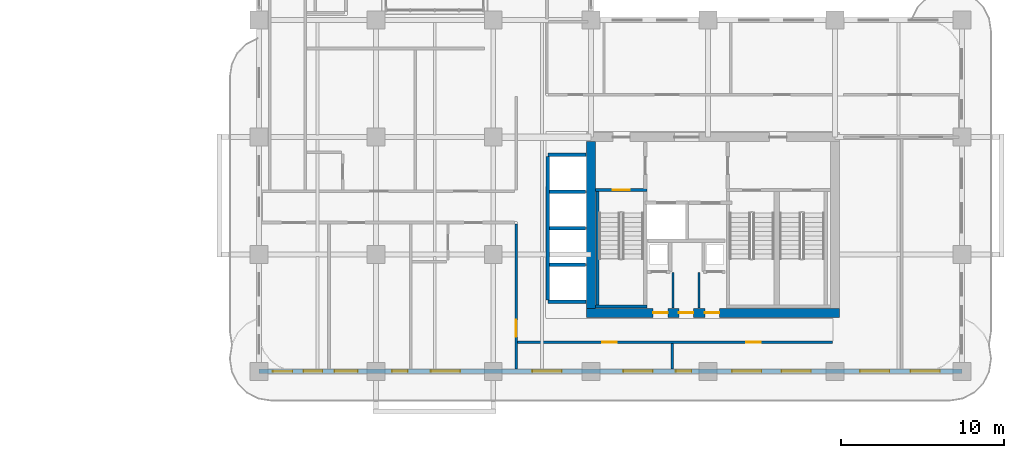
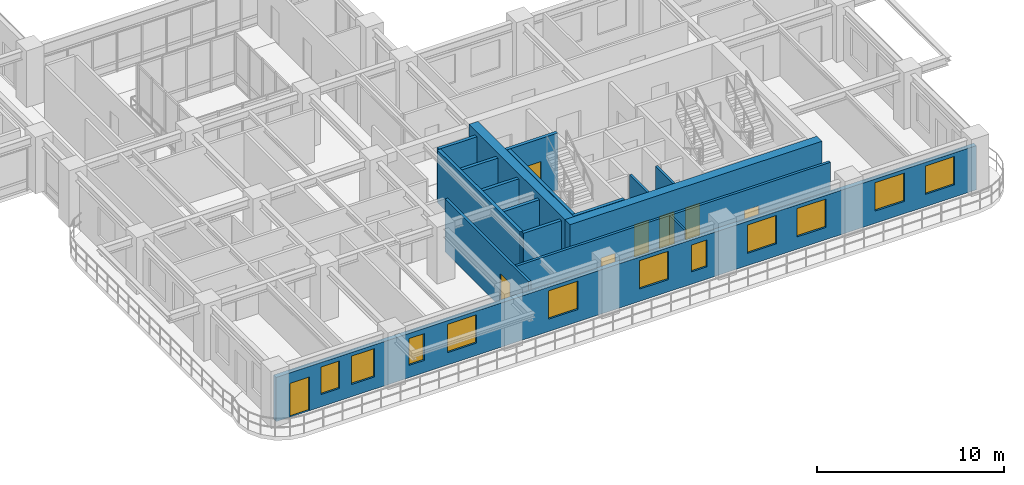
# One storey, part 13 of 22: 17 walls, 11 windows, 8 doors, 19 openings.
"""IFC4 building model written with IfcOpenShell, lengths in metres."""

from ifc_helpers import new_model, si_unit, derived_unit, direction, frame, frame_2d, origin, place, context, subcontext, project, spatial, rectangle, extrude, source, transform, mapped, material, layer, layer_set, type_object, type_shapes, element, fill, save


model = new_model("IFC4")

# Units and contexts
model_context = context("Model", 3, precision=1e-05, world=origin(), true_north=direction((0.0, 1.0)))
body_context = subcontext(model_context, "Body", "Model", "MODEL_VIEW")
ifc_project = project(units=[si_unit("LENGTHUNIT", "METRE"), si_unit("AREAUNIT", "SQUARE_METRE"), si_unit("VOLUMEUNIT", "CUBIC_METRE"), si_unit("PLANEANGLEUNIT", "RADIAN"), si_unit("MASSUNIT", "GRAM", prefix="KILO"), si_unit("THERMODYNAMICTEMPERATUREUNIT", "KELVIN"), si_unit("POWERUNIT", "WATT"), derived_unit("THERMALTRANSMITTANCEUNIT", [(si_unit("POWERUNIT", "WATT"), 1), (si_unit("AREAUNIT", "SQUARE_METRE"), -1), (si_unit("THERMODYNAMICTEMPERATUREUNIT", "KELVIN"), -1)])], contexts=[model_context])

# Site, building, storey
site_placement = place(None, origin())
site = spatial("IfcSite", under=ifc_project, at=site_placement, CompositionType="ELEMENT")
building_placement = place(site_placement, origin())
building = spatial("IfcBuilding", under=site, at=building_placement, Name="Zahravan Archway Hotel and Residences", CompositionType="ELEMENT")
storey_placement = place(building_placement, frame((0.0, 0.0, 95.300048828125)))
storey = spatial("IfcBuildingStorey", under=building, at=storey_placement, Name="L23", CompositionType="ELEMENT", Elevation=95.300048828125)

# Wall, openings, doors
ifc_material_1 = material(Name="Concrete C70/85", Category="concrete")
ifc_layer_1 = layer(ifc_material_1, 0.550048828125, Name="Concrete C70/85", Category="concrete")
ifc_layer_set_1 = layer_set([ifc_layer_1], Name="Concrete C70/85")
wall_type_1 = type_object("IfcWallType", Name="CW-CORE-550", PredefinedType="SHEAR", material=ifc_layer_set_1)
wall_1_placement = place(storey_placement, frame((34.52490234375, 3.60009765625, 0.0), z_axis=(0.0, 0.0, 1.0), x_axis=(1.0, 0.0, 0.0)))
wall_1 = element("IfcWall", 1, at=wall_1_placement, inside=storey, type_object=wall_type_1, Name="L23 Core A Shear S Wall 550 mm", PredefinedType="SHEAR", context=body_context, shape_type="SweptSolid", body=[
    extrude(rectangle(XDim=15.550048828125, YDim=0.550048828125, at=frame_2d((7.77490234375, 0.0))), origin(), (0.0, 0.0, 1.0), 3.699951171875),
])
opening_1_placement = place(wall_1_placement, frame((4.10498046875, 0.0, 0.0)))
opening_1 = element("IfcOpeningElement", 2, at=opening_1_placement, cuts=wall_1, Name="Opening FD-R1", PredefinedType="OPENING", context=body_context, shape_type="SweptSolid", body=[
    extrude(rectangle(XDim=0.89990234375, YDim=2.10009765625, at=frame_2d((0.449951171875, 1.050048828125))), frame((0.0, 0.28515625, 0.0), z_axis=(0.0, -1.0, 0.0), x_axis=(1.0, 0.0, 0.0)), (0.0, 0.0, 1.0), 0.570068359375),
])
opening_2_placement = place(wall_1_placement, frame((5.675048828125, 0.0, 0.0)))
opening_2 = element("IfcOpeningElement", 3, at=opening_2_placement, cuts=wall_1, Name="Opening FD-R1", PredefinedType="OPENING", context=body_context, shape_type="SweptSolid", body=[
    extrude(rectangle(XDim=0.89990234375, YDim=2.10009765625, at=frame_2d((0.449951171875, 1.050048828125))), frame((0.0, 0.28515625, 0.0), z_axis=(0.0, -1.0, 0.0), x_axis=(1.0, 0.0, 0.0)), (0.0, 0.0, 1.0), 0.570068359375),
])
opening_3_placement = place(wall_1_placement, frame((7.27490234375, 0.0, 0.0)))
opening_3 = element("IfcOpeningElement", 4, at=opening_3_placement, cuts=wall_1, Name="Opening FD-R1", PredefinedType="OPENING", context=body_context, shape_type="SweptSolid", body=[
    extrude(rectangle(XDim=0.89990234375, YDim=2.10009765625, at=frame_2d((0.449951171875, 1.050048828125))), frame((0.0, 0.28515625, 0.0), z_axis=(0.0, -1.0, 0.0), x_axis=(1.0, 0.0, 0.0)), (0.0, 0.0, 1.0), 0.570068359375),
])
ifc_material_2 = material(Name="Fire-Rated Painted Steel", Category="steel")
door_type_1 = type_object("IfcDoorType", Name="FD-RISER-900", OperationType="NOTDEFINED", PredefinedType="DOOR", material=ifc_material_2)
shared_shape_1 = source(origin(), body_context, "Body", "SweptSolid", [
    extrude(rectangle(XDim=0.89990234375, YDim=2.10009765625, at=frame_2d((0.449951171875, 1.050048828125))), frame((0.0, 0.02490234375, 0.0), z_axis=(0.0, -1.0, 0.0), x_axis=(1.0, 0.0, 0.0)), (0.0, 0.0, 1.0), 0.050048828125),
])
type_shapes(door_type_1, [shared_shape_1])
door_1_placement = place(opening_1_placement, origin())
door_1 = element("IfcDoor", 5, at=door_1_placement, inside=storey, type_object=door_type_1, Name="L23 Linen Store Door", OperationType="SINGLE_SWING_RIGHT", OverallHeight=2.10009765625, OverallWidth=0.89990234375, PredefinedType="DOOR", context=body_context, shape_type="MappedRepresentation", body=[
    mapped(shared_shape_1, transform((0.0, 0.0, 0.0), scale=1.0)),
])
fill(opening_1, door_1)
door_2_placement = place(opening_2_placement, origin())
door_2 = element("IfcDoor", 6, at=door_2_placement, inside=storey, type_object=door_type_1, Name="L23 Housekeeping Store Door", OperationType="SINGLE_SWING_LEFT", OverallHeight=2.10009765625, OverallWidth=0.89990234375, PredefinedType="DOOR", context=body_context, shape_type="MappedRepresentation", body=[
    mapped(shared_shape_1, transform((0.0, 0.0, 0.0), scale=1.0)),
])
fill(opening_2, door_2)
door_3_placement = place(opening_3_placement, origin())
door_3 = element("IfcDoor", 7, at=door_3_placement, inside=storey, type_object=door_type_1, Name="L23 Janitor Store Door", OperationType="SINGLE_SWING_RIGHT", OverallHeight=2.10009765625, OverallWidth=0.89990234375, PredefinedType="DOOR", context=body_context, shape_type="MappedRepresentation", body=[
    mapped(shared_shape_1, transform((0.0, 0.0, 0.0), scale=1.0)),
])
fill(opening_3, door_3)

# Wall
wall_2_placement = place(storey_placement, frame((34.800048828125, 3.875, 0.0), z_axis=(0.0, 0.0, 1.0), x_axis=(0.0, 1.0, 0.0)))
element("IfcWall", 8, at=wall_2_placement, inside=storey, type_object=wall_type_1, Name="L23 Core A Shear W Wall 550 mm", PredefinedType="SHEAR", context=body_context, shape_type="SweptSolid", body=[
    extrude(rectangle(XDim=10.25, YDim=0.550048828125, at=frame_2d((5.125, 0.0))), origin(), (0.0, 0.0, 1.0), 3.699951171875),
])

# Wall, openings, door, windows
ifc_material_3 = material(Name="Honed Red-Ochre Sandstone & Insulated Block", Category="masonry")
ifc_layer_2 = layer(ifc_material_3, 0.280029296875, Name="Honed Red-Ochre Sandstone & Insulated Block", Category="masonry")
ifc_layer_set_2 = layer_set([ifc_layer_2], Name="Honed Red-Ochre Sandstone & Insulated Block")
wall_type_2 = type_object("IfcWallType", Name="EW-LOG-280", PredefinedType="SOLIDWALL", material=ifc_layer_set_2)
wall_3_placement = place(storey_placement, frame((14.39990234375, 0.0, 0.0), z_axis=(0.0, 0.0, 1.0), x_axis=(1.0, 0.0, 0.0)))
wall_3 = element("IfcWall", 9, at=wall_3_placement, inside=storey, type_object=wall_type_2, Name="L23 Exterior Sandstone Wall WA-S", PredefinedType="SOLIDWALL", context=body_context, shape_type="SweptSolid", body=[
    extrude(rectangle(XDim=43.2001953125, YDim=0.280029296875, at=frame_2d((21.60009765625, 0.0))), origin(), (0.0, 0.0, 1.0), 2.885009765625),
])
opening_4_placement = place(wall_3_placement, frame((0.85009765625, 0.0, 0.0)))
opening_4 = element("IfcOpeningElement", 10, at=opening_4_placement, cuts=wall_3, Name="Opening ED-BL1", PredefinedType="OPENING", context=body_context, shape_type="SweptSolid", body=[
    extrude(rectangle(XDim=1.199951171875, YDim=2.199951171875, at=frame_2d((0.60009765625, 1.10009765625))), frame((0.0, 0.14990234375, 0.0), z_axis=(0.0, -1.0, 0.0), x_axis=(1.0, 0.0, 0.0)), (0.0, 0.0, 1.0), 0.300048828125),
])
opening_5_placement = place(wall_3_placement, frame((2.74609375, 0.0, 0.800048828125)))
opening_5 = element("IfcOpeningElement", 11, at=opening_5_placement, cuts=wall_3, Name="Opening W-05", PredefinedType="OPENING", context=body_context, shape_type="SweptSolid", body=[
    extrude(rectangle(XDim=1.14990234375, YDim=1.800048828125, at=frame_2d((0.574951171875, 0.89990234375))), frame((0.0, 0.14990234375, 0.0), z_axis=(0.0, -1.0, 0.0), x_axis=(1.0, 0.0, 0.0)), (0.0, 0.0, 1.0), 0.300048828125),
])
opening_6_placement = place(wall_3_placement, frame((4.654052734375, 0.0, 0.800048828125)))
opening_6 = element("IfcOpeningElement", 12, at=opening_6_placement, cuts=wall_3, Name="Opening W-03", PredefinedType="OPENING", context=body_context, shape_type="SweptSolid", body=[
    extrude(rectangle(XDim=1.39990234375, YDim=1.85009765625, at=frame_2d((0.699951171875, 0.925048828125))), frame((0.0, 0.14990234375, 0.0), z_axis=(0.0, -1.0, 0.0), x_axis=(1.0, 0.0, 0.0)), (0.0, 0.0, 1.0), 0.300048828125),
])
opening_7_placement = place(wall_3_placement, frame((8.180908203125, 0.0, 0.800048828125)))
opening_7 = element("IfcOpeningElement", 13, at=opening_7_placement, cuts=wall_3, Name="Opening W-04", PredefinedType="OPENING", context=body_context, shape_type="SweptSolid", body=[
    extrude(rectangle(XDim=0.949951171875, YDim=1.75, at=frame_2d((0.47509765625, 0.875))), frame((0.0, 0.14990234375, 0.0), z_axis=(0.0, -1.0, 0.0), x_axis=(1.0, 0.0, 0.0)), (0.0, 0.0, 1.0), 0.300048828125),
])
opening_8_placement = place(wall_3_placement, frame((10.56396484375, 0.0, 0.800048828125)))
opening_8 = element("IfcOpeningElement", 14, at=opening_8_placement, cuts=wall_3, Name="Opening W-02", PredefinedType="OPENING", context=body_context, shape_type="SweptSolid", body=[
    extrude(rectangle(XDim=1.800048828125, YDim=1.85009765625, at=frame_2d((0.89990234375, 0.925048828125))), frame((0.0, 0.14990234375, 0.0), z_axis=(0.0, -1.0, 0.0), x_axis=(1.0, 0.0, 0.0)), (0.0, 0.0, 1.0), 0.300048828125),
])
opening_9_placement = place(wall_3_placement, frame((16.803955078125, 0.0, 0.800048828125)))
opening_9 = element("IfcOpeningElement", 15, at=opening_9_placement, cuts=wall_3, Name="Opening W-02", PredefinedType="OPENING", context=body_context, shape_type="SweptSolid", body=[
    extrude(rectangle(XDim=1.800048828125, YDim=1.85009765625, at=frame_2d((0.89990234375, 0.925048828125))), frame((0.0, 0.14990234375, 0.0), z_axis=(0.0, -1.0, 0.0), x_axis=(1.0, 0.0, 0.0)), (0.0, 0.0, 1.0), 0.300048828125),
])
opening_10_placement = place(wall_3_placement, frame((22.39599609375, 0.0, 0.800048828125)))
opening_10 = element("IfcOpeningElement", 16, at=opening_10_placement, cuts=wall_3, Name="Opening W-02", PredefinedType="OPENING", context=body_context, shape_type="SweptSolid", body=[
    extrude(rectangle(XDim=1.800048828125, YDim=1.85009765625, at=frame_2d((0.89990234375, 0.925048828125))), frame((0.0, 0.14990234375, 0.0), z_axis=(0.0, -1.0, 0.0), x_axis=(1.0, 0.0, 0.0)), (0.0, 0.0, 1.0), 0.300048828125),
])
opening_11_placement = place(wall_3_placement, frame((25.62890625, 0.0, 0.800048828125)))
opening_11 = element("IfcOpeningElement", 17, at=opening_11_placement, cuts=wall_3, Name="Opening W-04", PredefinedType="OPENING", context=body_context, shape_type="SweptSolid", body=[
    extrude(rectangle(XDim=0.949951171875, YDim=1.75, at=frame_2d((0.47509765625, 0.875))), frame((0.0, 0.14990234375, 0.0), z_axis=(0.0, -1.0, 0.0), x_axis=(1.0, 0.0, 0.0)), (0.0, 0.0, 1.0), 0.300048828125),
])
opening_12_placement = place(wall_3_placement, frame((29.074951171875, 0.0, 0.800048828125)))
opening_12 = element("IfcOpeningElement", 18, at=opening_12_placement, cuts=wall_3, Name="Opening W-02", PredefinedType="OPENING", context=body_context, shape_type="SweptSolid", body=[
    extrude(rectangle(XDim=1.800048828125, YDim=1.85009765625, at=frame_2d((0.89990234375, 0.925048828125))), frame((0.0, 0.14990234375, 0.0), z_axis=(0.0, -1.0, 0.0), x_axis=(1.0, 0.0, 0.0)), (0.0, 0.0, 1.0), 0.300048828125),
])
opening_13_placement = place(wall_3_placement, frame((32.125, 0.0, 0.800048828125)))
opening_13 = element("IfcOpeningElement", 19, at=opening_13_placement, cuts=wall_3, Name="Opening W-02", PredefinedType="OPENING", context=body_context, shape_type="SweptSolid", body=[
    extrude(rectangle(XDim=1.800048828125, YDim=1.85009765625, at=frame_2d((0.89990234375, 0.925048828125))), frame((0.0, 0.14990234375, 0.0), z_axis=(0.0, -1.0, 0.0), x_axis=(1.0, 0.0, 0.0)), (0.0, 0.0, 1.0), 0.300048828125),
])
opening_14_placement = place(wall_3_placement, frame((36.946044921875, 0.0, 0.800048828125)))
opening_14 = element("IfcOpeningElement", 20, at=opening_14_placement, cuts=wall_3, Name="Opening W-02", PredefinedType="OPENING", context=body_context, shape_type="SweptSolid", body=[
    extrude(rectangle(XDim=1.800048828125, YDim=1.85009765625, at=frame_2d((0.89990234375, 0.925048828125))), frame((0.0, 0.14990234375, 0.0), z_axis=(0.0, -1.0, 0.0), x_axis=(1.0, 0.0, 0.0)), (0.0, 0.0, 1.0), 0.300048828125),
])
opening_15_placement = place(wall_3_placement, frame((40.053955078125, 0.0, 0.800048828125)))
opening_15 = element("IfcOpeningElement", 21, at=opening_15_placement, cuts=wall_3, Name="Opening W-02", PredefinedType="OPENING", context=body_context, shape_type="SweptSolid", body=[
    extrude(rectangle(XDim=1.800048828125, YDim=1.85009765625, at=frame_2d((0.89990234375, 0.925048828125))), frame((0.0, 0.14990234375, 0.0), z_axis=(0.0, -1.0, 0.0), x_axis=(1.0, 0.0, 0.0)), (0.0, 0.0, 1.0), 0.300048828125),
])
ifc_material_4 = material(Name="Bronze-Anodized Glazed Aluminium", Category="aluminium")
door_type_2 = type_object("IfcDoorType", Name="ED-BALC-1200", OperationType="SLIDING_TO_LEFT", PredefinedType="DOOR", material=ifc_material_4)
shared_shape_2 = source(origin(), body_context, "Body", "SweptSolid", [
    extrude(rectangle(XDim=1.199951171875, YDim=2.199951171875, at=frame_2d((0.60009765625, 1.10009765625))), frame((0.0, 0.02490234375, 0.0), z_axis=(0.0, -1.0, 0.0), x_axis=(1.0, 0.0, 0.0)), (0.0, 0.0, 1.0), 0.050048828125),
])
type_shapes(door_type_2, [shared_shape_2])
door_4_placement = place(opening_4_placement, origin())
door_4 = element("IfcDoor", 22, at=door_4_placement, inside=storey, type_object=door_type_2, Name="L23 Outdoor Access Sliding Door (SLB-BAL-L23-SA)", OperationType="SLIDING_TO_LEFT", OverallHeight=2.199951171875, OverallWidth=1.199951171875, PredefinedType="DOOR", context=body_context, shape_type="MappedRepresentation", body=[
    mapped(shared_shape_2, transform((0.0, 0.0, 0.0), scale=1.0)),
])
fill(opening_4, door_4)
ifc_material_5 = material(Name="Bronze-Anodized Thermal-Break Aluminium & Low-E Glass", Category="aluminium")
window_type_1 = type_object("IfcWindowType", Name="WIN-TWR-1400", PartitioningType="SINGLE_PANEL", PredefinedType="WINDOW", material=ifc_material_5)
shared_shape_3 = source(origin(), body_context, "Body", "SweptSolid", [
    extrude(rectangle(XDim=1.39990234375, YDim=1.85009765625, at=frame_2d((0.699951171875, 0.925048828125))), frame((0.0, 0.030029296875, 0.0), z_axis=(0.0, -1.0, 0.0), x_axis=(1.0, 0.0, 0.0)), (0.0, 0.0, 1.0), 0.06005859375),
])
type_shapes(window_type_1, [shared_shape_3])
window_1_placement = place(opening_6_placement, origin())
window_1 = element("IfcWindow", 23, at=window_1_placement, inside=storey, type_object=window_type_1, Name="L23 Loggia Window 02", OverallHeight=1.85009765625, OverallWidth=1.39990234375, PartitioningType="SINGLE_PANEL", PredefinedType="WINDOW", context=body_context, shape_type="MappedRepresentation", body=[
    mapped(shared_shape_3, transform((0.0, 0.0, 0.0), scale=1.0)),
])
fill(opening_6, window_1)
window_type_2 = type_object("IfcWindowType", Name="WIN-NAR-950", PartitioningType="SINGLE_PANEL", PredefinedType="WINDOW", material=ifc_material_5)
shared_shape_4 = source(origin(), body_context, "Body", "SweptSolid", [
    extrude(rectangle(XDim=0.949951171875, YDim=1.75, at=frame_2d((0.47509765625, 0.875))), frame((0.0, 0.030029296875, 0.0), z_axis=(0.0, -1.0, 0.0), x_axis=(1.0, 0.0, 0.0)), (0.0, 0.0, 1.0), 0.06005859375),
])
type_shapes(window_type_2, [shared_shape_4])
window_2_placement = place(opening_7_placement, origin())
window_2 = element("IfcWindow", 24, at=window_2_placement, inside=storey, type_object=window_type_2, Name="L23 Loggia Window 03", OverallHeight=1.75, OverallWidth=0.949951171875, PartitioningType="SINGLE_PANEL", PredefinedType="WINDOW", context=body_context, shape_type="MappedRepresentation", body=[
    mapped(shared_shape_4, transform((0.0, 0.0, 0.0), scale=1.0)),
])
fill(opening_7, window_2)
window_3_placement = place(opening_11_placement, origin())
window_3 = element("IfcWindow", 25, at=window_3_placement, inside=storey, type_object=window_type_2, Name="L23 Loggia Window 07", OverallHeight=1.75, OverallWidth=0.949951171875, PartitioningType="SINGLE_PANEL", PredefinedType="WINDOW", context=body_context, shape_type="MappedRepresentation", body=[
    mapped(shared_shape_4, transform((0.0, 0.0, 0.0), scale=1.0)),
])
fill(opening_11, window_3)
window_type_3 = type_object("IfcWindowType", Name="WIN-TWR-1800", PartitioningType="DOUBLE_PANEL_VERTICAL", PredefinedType="WINDOW", material=ifc_material_5)
shared_shape_5 = source(origin(), body_context, "Body", "SweptSolid", [
    extrude(rectangle(XDim=1.800048828125, YDim=1.85009765625, at=frame_2d((0.89990234375, 0.925048828125))), frame((0.0, 0.030029296875, 0.0), z_axis=(0.0, -1.0, 0.0), x_axis=(1.0, 0.0, 0.0)), (0.0, 0.0, 1.0), 0.06005859375),
])
type_shapes(window_type_3, [shared_shape_5])
window_4_placement = place(opening_8_placement, origin())
window_4 = element("IfcWindow", 26, at=window_4_placement, inside=storey, type_object=window_type_3, Name="L23 Loggia Window 04", OverallHeight=1.85009765625, OverallWidth=1.800048828125, PartitioningType="DOUBLE_PANEL_VERTICAL", PredefinedType="WINDOW", context=body_context, shape_type="MappedRepresentation", body=[
    mapped(shared_shape_5, transform((0.0, 0.0, 0.0), scale=1.0)),
])
fill(opening_8, window_4)
window_5_placement = place(opening_9_placement, origin())
window_5 = element("IfcWindow", 27, at=window_5_placement, inside=storey, type_object=window_type_3, Name="L23 Loggia Window 05", OverallHeight=1.85009765625, OverallWidth=1.800048828125, PartitioningType="DOUBLE_PANEL_VERTICAL", PredefinedType="WINDOW", context=body_context, shape_type="MappedRepresentation", body=[
    mapped(shared_shape_5, transform((0.0, 0.0, 0.0), scale=1.0)),
])
fill(opening_9, window_5)
window_6_placement = place(opening_10_placement, origin())
window_6 = element("IfcWindow", 28, at=window_6_placement, inside=storey, type_object=window_type_3, Name="L23 Loggia Window 06", OverallHeight=1.85009765625, OverallWidth=1.800048828125, PartitioningType="DOUBLE_PANEL_VERTICAL", PredefinedType="WINDOW", context=body_context, shape_type="MappedRepresentation", body=[
    mapped(shared_shape_5, transform((0.0, 0.0, 0.0), scale=1.0)),
])
fill(opening_10, window_6)
window_7_placement = place(opening_12_placement, origin())
window_7 = element("IfcWindow", 29, at=window_7_placement, inside=storey, type_object=window_type_3, Name="L23 Loggia Window 08", OverallHeight=1.85009765625, OverallWidth=1.800048828125, PartitioningType="DOUBLE_PANEL_VERTICAL", PredefinedType="WINDOW", context=body_context, shape_type="MappedRepresentation", body=[
    mapped(shared_shape_5, transform((0.0, 0.0, 0.0), scale=1.0)),
])
fill(opening_12, window_7)
window_8_placement = place(opening_13_placement, origin())
window_8 = element("IfcWindow", 30, at=window_8_placement, inside=storey, type_object=window_type_3, Name="L23 Loggia Window 09", OverallHeight=1.85009765625, OverallWidth=1.800048828125, PartitioningType="DOUBLE_PANEL_VERTICAL", PredefinedType="WINDOW", context=body_context, shape_type="MappedRepresentation", body=[
    mapped(shared_shape_5, transform((0.0, 0.0, 0.0), scale=1.0)),
])
fill(opening_13, window_8)
window_9_placement = place(opening_14_placement, origin())
window_9 = element("IfcWindow", 31, at=window_9_placement, inside=storey, type_object=window_type_3, Name="L23 Loggia Window 10", OverallHeight=1.85009765625, OverallWidth=1.800048828125, PartitioningType="DOUBLE_PANEL_VERTICAL", PredefinedType="WINDOW", context=body_context, shape_type="MappedRepresentation", body=[
    mapped(shared_shape_5, transform((0.0, 0.0, 0.0), scale=1.0)),
])
fill(opening_14, window_9)
window_10_placement = place(opening_15_placement, origin())
window_10 = element("IfcWindow", 32, at=window_10_placement, inside=storey, type_object=window_type_3, Name="L23 Loggia Window 11", OverallHeight=1.85009765625, OverallWidth=1.800048828125, PartitioningType="DOUBLE_PANEL_VERTICAL", PredefinedType="WINDOW", context=body_context, shape_type="MappedRepresentation", body=[
    mapped(shared_shape_5, transform((0.0, 0.0, 0.0), scale=1.0)),
])
fill(opening_15, window_10)
window_type_4 = type_object("IfcWindowType", Name="WIN-TWR-1150", PartitioningType="SINGLE_PANEL", PredefinedType="WINDOW", material=ifc_material_5)
shared_shape_6 = source(origin(), body_context, "Body", "SweptSolid", [
    extrude(rectangle(XDim=1.14990234375, YDim=1.800048828125, at=frame_2d((0.574951171875, 0.89990234375))), frame((0.0, 0.030029296875, 0.0), z_axis=(0.0, -1.0, 0.0), x_axis=(1.0, 0.0, 0.0)), (0.0, 0.0, 1.0), 0.06005859375),
])
type_shapes(window_type_4, [shared_shape_6])
window_11_placement = place(opening_5_placement, origin())
window_11 = element("IfcWindow", 33, at=window_11_placement, inside=storey, type_object=window_type_4, Name="L23 Loggia Window 01", OverallHeight=1.800048828125, OverallWidth=1.14990234375, PartitioningType="SINGLE_PANEL", PredefinedType="WINDOW", context=body_context, shape_type="MappedRepresentation", body=[
    mapped(shared_shape_6, transform((0.0, 0.0, 0.0), scale=1.0)),
])
fill(opening_5, window_11)

# Wall, opening, door
ifc_material_6 = material(Name="Fire-Rated Gypsum & Concrete Block", Category="concrete")
ifc_layer_3 = layer(ifc_material_6, 0.159912109375, Name="Fire-Rated Gypsum & Concrete Block", Category="concrete")
ifc_layer_set_3 = layer_set([ifc_layer_3], Name="Fire-Rated Gypsum & Concrete Block")
wall_type_3 = type_object("IfcWallType", Name="PW-CORR-160", PredefinedType="PARTITIONING", material=ifc_layer_set_3)
wall_4_placement = place(storey_placement, frame((30.199951171875, 0.14794921875, 0.0), z_axis=(0.0, 0.0, 1.0), x_axis=(0.0, 1.0, 0.0)))
wall_4 = element("IfcWall", 34, at=wall_4_placement, inside=storey, type_object=wall_type_3, Name="L23 Partition WA-SRW", PredefinedType="PARTITIONING", context=body_context, shape_type="SweptSolid", body=[
    extrude(rectangle(XDim=8.912109375, YDim=0.159912109375, at=frame_2d((4.4560546875, 0.0))), origin(), (0.0, 0.0, 1.0), 3.449951171875),
])
opening_16_placement = place(wall_4_placement, frame((1.97705078125, 0.0, 0.0)))
opening_16 = element("IfcOpeningElement", 35, at=opening_16_placement, cuts=wall_4, Name="Opening FD-L2", PredefinedType="OPENING", context=body_context, shape_type="SweptSolid", body=[
    extrude(rectangle(XDim=1.050048828125, YDim=2.14990234375, at=frame_2d((0.52490234375, 1.074951171875))), frame((0.0, 0.08984375, 0.0), z_axis=(0.0, -1.0, 0.0), x_axis=(1.0, 0.0, 0.0)), (0.0, 0.0, 1.0), 0.179931640625),
])
door_type_3 = type_object("IfcDoorType", Name="FD-LOBBY-1100", OperationType="NOTDEFINED", PredefinedType="DOOR", material=ifc_material_2)
shared_shape_7 = source(origin(), body_context, "Body", "SweptSolid", [
    extrude(rectangle(XDim=1.050048828125, YDim=2.14990234375, at=frame_2d((0.52490234375, 1.074951171875))), frame((0.0, 0.02490234375, 0.0), z_axis=(0.0, -1.0, 0.0), x_axis=(1.0, 0.0, 0.0)), (0.0, 0.0, 1.0), 0.050048828125),
])
type_shapes(door_type_3, [shared_shape_7])
door_5_placement = place(opening_16_placement, origin())
door_5 = element("IfcDoor", 36, at=door_5_placement, inside=storey, type_object=door_type_3, Name="L23 South Riser Corridor Door", OperationType="SINGLE_SWING_RIGHT", OverallHeight=2.14990234375, OverallWidth=1.050048828125, PredefinedType="DOOR", context=body_context, shape_type="MappedRepresentation", body=[
    mapped(shared_shape_7, transform((0.0, 0.0, 0.0), scale=1.0)),
])
fill(opening_16, door_5)

# Wall, openings, doors
wall_5_placement = place(storey_placement, frame((30.2900390625, 1.800048828125, 0.0), z_axis=(0.0, 0.0, 1.0), x_axis=(1.0, 0.0, 0.0)))
wall_5 = element("IfcWall", 37, at=wall_5_placement, inside=storey, type_object=wall_type_3, Name="L23 Partition WA-SRS", PredefinedType="PARTITIONING", context=body_context, shape_type="SweptSolid", body=[
    extrude(rectangle(XDim=19.369873046875, YDim=0.159912109375, at=frame_2d((9.68505859375, 0.0))), origin(), (0.0, 0.0, 1.0), 3.449951171875),
])
opening_17_placement = place(wall_5_placement, frame((5.213134765625, 0.0, 0.0)))
opening_17 = element("IfcOpeningElement", 38, at=opening_17_placement, cuts=wall_5, Name="Opening D-I2", PredefinedType="OPENING", context=body_context, shape_type="SweptSolid", body=[
    extrude(rectangle(XDim=0.89990234375, YDim=2.14990234375, at=frame_2d((0.449951171875, 1.074951171875))), frame((0.0, 0.08984375, 0.0), z_axis=(0.0, -1.0, 0.0), x_axis=(1.0, 0.0, 0.0)), (0.0, 0.0, 1.0), 0.179931640625),
])
opening_18_placement = place(wall_5_placement, frame((14.06005859375, 0.0, 0.0)))
opening_18 = element("IfcOpeningElement", 39, at=opening_18_placement, cuts=wall_5, Name="Opening D-I2", PredefinedType="OPENING", context=body_context, shape_type="SweptSolid", body=[
    extrude(rectangle(XDim=0.89990234375, YDim=2.14990234375, at=frame_2d((0.449951171875, 1.074951171875))), frame((0.0, 0.08984375, 0.0), z_axis=(0.0, -1.0, 0.0), x_axis=(1.0, 0.0, 0.0)), (0.0, 0.0, 1.0), 0.179931640625),
])
ifc_material_7 = material(Name="Hardwood Veneer Timber", Category="wood")
door_type_4 = type_object("IfcDoorType", Name="ID-INT-900", OperationType="NOTDEFINED", PredefinedType="DOOR", material=ifc_material_7)
shared_shape_8 = source(origin(), body_context, "Body", "SweptSolid", [
    extrude(rectangle(XDim=0.89990234375, YDim=2.14990234375, at=frame_2d((0.449951171875, 1.074951171875))), frame((0.0, 0.02490234375, 0.0), z_axis=(0.0, -1.0, 0.0), x_axis=(1.0, 0.0, 0.0)), (0.0, 0.0, 1.0), 0.050048828125),
])
type_shapes(door_type_4, [shared_shape_8])
door_6_placement = place(opening_17_placement, origin())
door_6 = element("IfcDoor", 40, at=door_6_placement, inside=storey, type_object=door_type_4, Name="L23 South Study Door", OperationType="SINGLE_SWING_LEFT", OverallHeight=2.14990234375, OverallWidth=0.89990234375, PredefinedType="DOOR", context=body_context, shape_type="MappedRepresentation", body=[
    mapped(shared_shape_8, transform((0.0, 0.0, 0.0), scale=1.0)),
])
fill(opening_17, door_6)
door_7_placement = place(opening_18_placement, origin())
door_7 = element("IfcDoor", 41, at=door_7_placement, inside=storey, type_object=door_type_4, Name="L23 South Pantry Door", OperationType="SINGLE_SWING_RIGHT", OverallHeight=2.14990234375, OverallWidth=0.89990234375, PredefinedType="DOOR", context=body_context, shape_type="MappedRepresentation", body=[
    mapped(shared_shape_8, transform((0.0, 0.0, 0.0), scale=1.0)),
])
fill(opening_18, door_7)

# Walls
ifc_material_8 = material(Name="Acoustic Stud Partition")
ifc_layer_4 = layer(ifc_material_8, 0.125, Name="Acoustic Stud Partition")
ifc_layer_set_4 = layer_set([ifc_layer_4], Name="Acoustic Stud Partition")
wall_type_4 = type_object("IfcWallType", Name="PW-INT-125", PredefinedType="PARTITIONING", material=ifc_layer_set_4)
wall_6_placement = place(storey_placement, frame((39.800048828125, 0.14794921875, 0.0), z_axis=(0.0, 0.0, 1.0), x_axis=(0.0, 1.0, 0.0)))
element("IfcWall", 42, at=wall_6_placement, inside=storey, type_object=wall_type_4, Name="L23 Partition S-DIV1", PredefinedType="PARTITIONING", context=body_context, shape_type="SweptSolid", body=[
    extrude(rectangle(XDim=1.56201171875, YDim=0.125, at=frame_2d((0.781005859375, 0.0))), origin(), (0.0, 0.0, 1.0), 3.449951171875),
])
ifc_layer_5 = layer(ifc_material_6, 0.199951171875, Name="Fire-Rated Gypsum & Concrete Block", Category="concrete")
ifc_layer_set_5 = layer_set([ifc_layer_5], Name="Fire-Rated Gypsum & Concrete Block")
wall_type_5 = type_object("IfcWallType", Name="PW-SHAFT-200", PredefinedType="PARTITIONING", material=ifc_layer_set_5)
for number, where, z_axis, x_axis, name in (
    (43, (32.159912109375, 4.280029296875, 0.0), (0.0, 0.0, 1.0), (1.0, 0.0, 0.0), "L23 Partition B3-S"),
    (44, (32.159912109375, 13.320068359375, 0.0), (0.0, 0.0, 1.0), (1.0, 0.0, 0.0), "L23 Partition B3-N"),
):
    element("IfcWall", number, at=place(storey_placement, frame(where, z_axis=z_axis, x_axis=x_axis)), inside=storey, type_object=wall_type_5, Name=name, PredefinedType="PARTITIONING", context=body_context, shape_type="SweptSolid", body=[
        extrude(rectangle(XDim=2.335205078125, YDim=0.199951171875, at=frame_2d((1.16748046875, 0.0))), origin(), (0.0, 0.0, 1.0), 3.449951171875),
    ])
wall_7_placement = place(storey_placement, frame((32.14990234375, 4.389892578125, 0.0), z_axis=(0.0, 0.0, 1.0), x_axis=(0.0, 1.0, 0.0)))
element("IfcWall", 45, at=wall_7_placement, inside=storey, type_object=wall_type_5, Name="L23 Partition B3-W", PredefinedType="PARTITIONING", context=body_context, shape_type="SweptSolid", body=[
    extrude(rectangle(XDim=8.820068359375, YDim=0.199951171875, at=frame_2d((4.41015625, 0.0))), origin(), (0.0, 0.0, 1.0), 3.449951171875),
])
for number, where, z_axis, x_axis, name in (
    (46, (32.260009765625, 6.56005859375, 0.0), (0.0, 0.0, 1.0), (1.0, 0.0, 0.0), "L23 Partition B3-D"),
    (47, (32.260009765625, 8.800048828125, 0.0), (0.0, 0.0, 1.0), (1.0, 0.0, 0.0), "L23 Partition B3-D"),
    (48, (32.260009765625, 11.0400390625, 0.0), (0.0, 0.0, 1.0), (1.0, 0.0, 0.0), "L23 Partition B3-D"),
):
    element("IfcWall", number, at=place(storey_placement, frame(where, z_axis=z_axis, x_axis=x_axis)), inside=storey, type_object=wall_type_5, Name=name, PredefinedType="PARTITIONING", context=body_context, shape_type="SweptSolid", body=[
        extrude(rectangle(XDim=2.205078125, YDim=0.199951171875, at=frame_2d((1.1025390625, 0.0))), origin(), (0.0, 0.0, 1.0), 3.449951171875),
    ])
ifc_material_9 = material(Name="Moisture-Resistant Blockwork", Category="masonry")
ifc_layer_6 = layer(ifc_material_9, 0.139892578125, Name="Moisture-Resistant Blockwork", Category="masonry")
ifc_layer_set_6 = layer_set([ifc_layer_6], Name="Moisture-Resistant Blockwork")
wall_type_6 = type_object("IfcWallType", Name="PW-WET-140", PredefinedType="PARTITIONING", material=ifc_layer_set_6)
for number, where, z_axis, x_axis, name in (
    (49, (39.85009765625, 3.89501953125, 0.0), (0.0, 0.0, 1.0), (0.0, 1.0, 0.0), "L23 Partition CA-CV1A"),
    (50, (41.449951171875, 3.89501953125, 0.0), (0.0, 0.0, 1.0), (0.0, 1.0, 0.0), "L23 Partition CA-CV1B"),
):
    element("IfcWall", number, at=place(storey_placement, frame(where, z_axis=z_axis, x_axis=x_axis)), inside=storey, type_object=wall_type_6, Name=name, PredefinedType="PARTITIONING", context=body_context, shape_type="SweptSolid", body=[
        extrude(rectangle(XDim=2.18505859375, YDim=0.139892578125, at=frame_2d((1.092529296875, 0.0))), origin(), (0.0, 0.0, 1.0), 3.449951171875),
    ])
ifc_material_10 = material(Name="Concrete C50/60", Category="concrete")
ifc_layer_7 = layer(ifc_material_10, 0.199951171875, Name="Concrete C50/60", Category="concrete")
ifc_layer_set_7 = layer_set([ifc_layer_7], Name="Concrete C50/60")
wall_type_7 = type_object("IfcWallType", Name="SW-STAIR-200", PredefinedType="SHEAR", material=ifc_layer_set_7)
wall_8_placement = place(storey_placement, frame((35.074951171875, 4.0, 0.0), z_axis=(0.0, 0.0, 1.0), x_axis=(1.0, 0.0, 0.0)))
element("IfcWall", 51, at=wall_8_placement, inside=storey, type_object=wall_type_7, Name="L23 Stairwell RC Wall CA-SA1S", PredefinedType="SHEAR", context=body_context, shape_type="SweptSolid", body=[
    extrude(rectangle(XDim=3.1650390625, YDim=0.199951171875, at=frame_2d((1.58251953125, 0.0))), origin(), (0.0, 0.0, 1.0), 3.699951171875),
])
wall_9_placement = place(storey_placement, frame((35.199951171875, 4.10009765625, 0.0), z_axis=(0.0, 0.0, 1.0), x_axis=(0.0, 1.0, 0.0)))
element("IfcWall", 52, at=wall_9_placement, inside=storey, type_object=wall_type_7, Name="L23 Stairwell RC Wall CA-SA1W", PredefinedType="SHEAR", context=body_context, shape_type="SweptSolid", body=[
    extrude(rectangle(XDim=6.949951171875, YDim=0.199951171875, at=frame_2d((3.47509765625, 0.0))), origin(), (0.0, 0.0, 1.0), 3.699951171875),
])

# Wall, opening, door
wall_10_placement = place(storey_placement, frame((35.074951171875, 11.14990234375, 0.0), z_axis=(0.0, 0.0, 1.0), x_axis=(1.0, 0.0, 0.0)))
wall_10 = element("IfcWall", 53, at=wall_10_placement, inside=storey, type_object=wall_type_7, Name="L23 Stairwell RC Wall CA-SA1N", PredefinedType="SHEAR", context=body_context, shape_type="SweptSolid", body=[
    extrude(rectangle(XDim=3.1650390625, YDim=0.199951171875, at=frame_2d((1.58251953125, 0.0))), origin(), (0.0, 0.0, 1.0), 3.699951171875),
])
opening_19_placement = place(wall_10_placement, frame((1.070068359375, 0.0, 0.0)))
opening_19 = element("IfcOpeningElement", 54, at=opening_19_placement, cuts=wall_10, Name="Opening FD-S1", PredefinedType="OPENING", context=body_context, shape_type="SweptSolid", body=[
    extrude(rectangle(XDim=1.050048828125, YDim=2.199951171875, at=frame_2d((0.52490234375, 1.10009765625))), frame((0.0, 0.10986328125, 0.0), z_axis=(0.0, -1.0, 0.0), x_axis=(1.0, 0.0, 0.0)), (0.0, 0.0, 1.0), 0.219970703125),
])
door_type_5 = type_object("IfcDoorType", Name="FD-STAIR-1100", OperationType="NOTDEFINED", PredefinedType="DOOR", material=ifc_material_2)
shared_shape_9 = source(origin(), body_context, "Body", "SweptSolid", [
    extrude(rectangle(XDim=1.050048828125, YDim=2.199951171875, at=frame_2d((0.52490234375, 1.10009765625))), frame((0.0, 0.02490234375, 0.0), z_axis=(0.0, -1.0, 0.0), x_axis=(1.0, 0.0, 0.0)), (0.0, 0.0, 1.0), 0.050048828125),
])
type_shapes(door_type_5, [shared_shape_9])
door_8_placement = place(opening_19_placement, origin())
door_8 = element("IfcDoor", 55, at=door_8_placement, inside=storey, type_object=door_type_5, Name="L23 Stair ST-A1 Door", OperationType="SINGLE_SWING_LEFT", OverallHeight=2.199951171875, OverallWidth=1.050048828125, PredefinedType="DOOR", context=body_context, shape_type="MappedRepresentation", body=[
    mapped(shared_shape_9, transform((0.0, 0.0, 0.0), scale=1.0)),
])
fill(opening_19, door_8)

save(model, "model.ifc")
